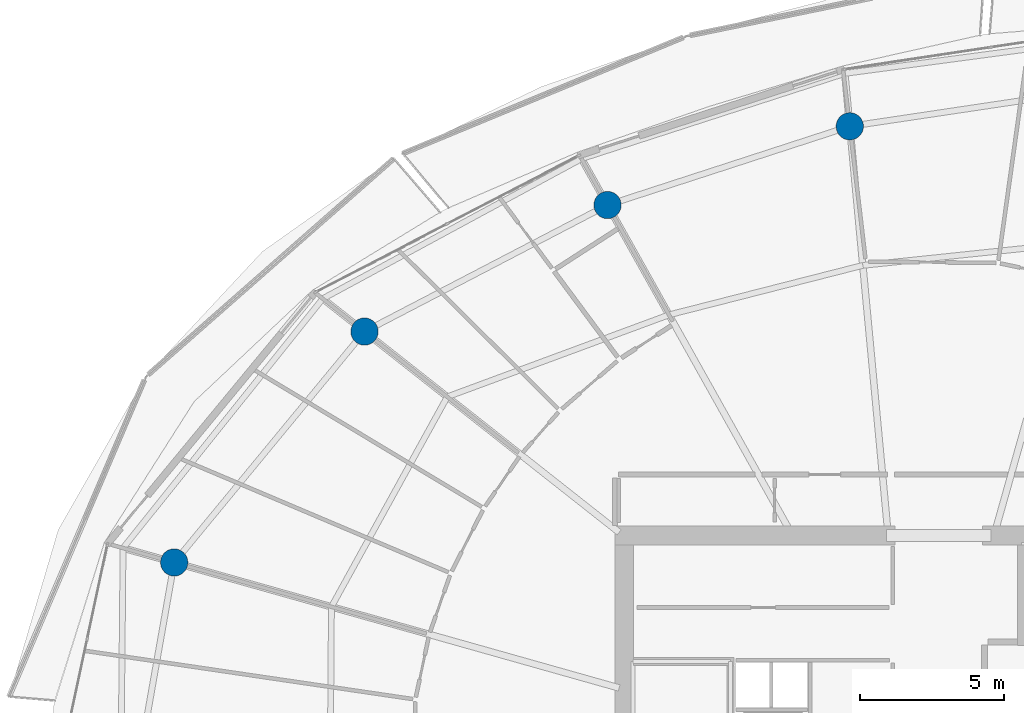
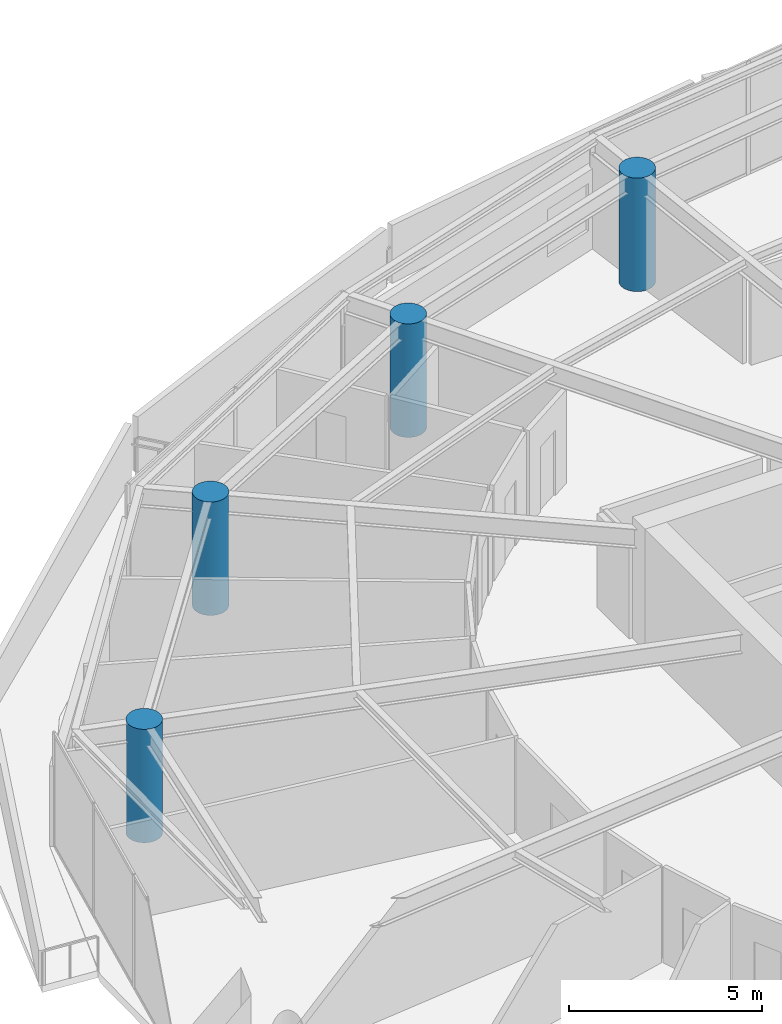
# One storey, part 4 of 30: 4 columns.
"""IFC4 building model written with IfcOpenShell, lengths in metres."""

import ifcopenshell
import ifcopenshell.guid

model = None  # the IFC model being written
_history = None  # IfcOwnerHistory: only IFC2X3 demands one
_inside = {}  # id of a spatial element -> (the spatial element, [elements in it])
_under = {}  # id of a project, library or spatial element -> (it, [spatial elements below it])
_declared = {}  # id of a project -> (the project, [libraries it declares])
_typed = {}  # id of a type object -> (the type object, [elements of that type])
_made_of = {}  # id of a material, layer set ... -> (it, [elements and type objects made of it])


def new_model(schema):
    """Start an empty IFC model of exactly this schema.

    Asked for "IFC4X3", IfcOpenShell would pick the latest addendum, in which some entities
    have other attributes; the version numbers below select the first issue.
    IFC2X3 requires an IfcOwnerHistory on every rooted entity: one is made here for all.
    """
    global model, _history
    if schema == "IFC4X3":
        model = ifcopenshell.file(schema_version=(4, 3, 0, 0))
    else:
        model = ifcopenshell.file(schema=schema)
    _inside.clear()
    _under.clear()
    _declared.clear()
    _typed.clear()
    _made_of.clear()
    _history = None
    if model.schema == "IFC2X3":
        org = make("IfcOrganization", Name="unknown")
        user = make(
            "IfcPersonAndOrganization",
            ThePerson=make("IfcPerson", FamilyName="unknown"),
            TheOrganization=org,
        )
        app = make(
            "IfcApplication",
            ApplicationDeveloper=org,
            Version="unknown",
            ApplicationFullName="unknown",
            ApplicationIdentifier="unknown",
        )
        _history = make(
            "IfcOwnerHistory",
            OwningUser=user,
            OwningApplication=app,
            ChangeAction="ADDED",
            CreationDate=0,
        )
    return model


def make(cls, **values):
    """One entity of the class cls with the attributes given. An attribute that is None is left unset."""
    return model.create_entity(
        cls, **{name: value for name, value in values.items() if value is not None}
    )


def rooted(cls, **values):
    """An entity with a GlobalId (a new one), such as an element, a storey or a relation."""
    return make(cls, GlobalId=ifcopenshell.guid.new(), OwnerHistory=_history, **values)


def si_unit(unit_type, name, prefix=None):
    """IfcSIUnit, for example si_unit("LENGTHUNIT", "METRE", prefix="MILLI")."""
    return make("IfcSIUnit", UnitType=unit_type, Prefix=prefix, Name=name)


def assignment(units):
    """IfcUnitAssignment: the units of a project."""
    return None if units is None else make("IfcUnitAssignment", Units=units)


def point(xyz):
    """IfcCartesianPoint."""
    return None if xyz is None else make("IfcCartesianPoint", Coordinates=xyz)


def direction(xyz):
    """IfcDirection."""
    return None if xyz is None else make("IfcDirection", DirectionRatios=xyz)


def frame(location, z_axis=None, x_axis=None):
    """IfcAxis2Placement3D, a coordinate frame: its origin and axes. An axis left out is left unset."""
    return make(
        "IfcAxis2Placement3D",
        Location=point(location),
        Axis=direction(z_axis),
        RefDirection=direction(x_axis),
    )


def frame_2d(location, x_axis=None):
    """IfcAxis2Placement2D, a coordinate frame in the plane: its origin and x axis."""
    return make(
        "IfcAxis2Placement2D", Location=point(location), RefDirection=direction(x_axis)
    )


def origin():
    """The frame at (0, 0, 0) with its axes left unset."""
    return frame((0.0, 0.0, 0.0))


def origin_2d():
    """The frame at (0, 0) in the plane with its x axis left unset."""
    return frame_2d((0.0, 0.0))


def place(relative_to, where):
    """IfcLocalPlacement: puts the frame where relative to a parent placement (None: the world)."""
    return make(
        "IfcLocalPlacement", PlacementRelTo=relative_to, RelativePlacement=where
    )


def context(
    kind, dimensions, precision=None, world=None, true_north=None, identifier=None
):
    """IfcGeometricRepresentationContext, for example the 3D "Model" context."""
    return make(
        "IfcGeometricRepresentationContext",
        ContextIdentifier=identifier,
        ContextType=kind,
        CoordinateSpaceDimension=dimensions,
        Precision=precision,
        WorldCoordinateSystem=world,
        TrueNorth=true_north,
    )


def subcontext(parent, identifier, kind, view, scale=None):
    """IfcGeometricRepresentationSubContext, for example "Body" below "Model"."""
    return make(
        "IfcGeometricRepresentationSubContext",
        ContextIdentifier=identifier,
        ContextType=kind,
        ParentContext=parent,
        TargetScale=scale,
        TargetView=view,
    )


def project(units=None, contexts=None):
    """IfcProject with its units and contexts."""
    return rooted(
        "IfcProject",
        Name="project",
        RepresentationContexts=contexts,
        UnitsInContext=assignment(units),
    )


def spatial(cls, under=None, at=None, **own):
    """A site, building, storey or space (cls), placed at a placement, below another one or the project."""
    s = rooted(cls, ObjectPlacement=at, **own)
    if under is not None:
        _under.setdefault(under.id(), (under, []))[1].append(s)
    return s


def profile(cls, at=None, kind="AREA", **sizes):
    """A parametric profile (cls). Its sizes go by their IFC names, for example OverallWidth=200.0."""
    return make(cls, ProfileType=kind, Position=at, **sizes)


def circle(**sizes):
    """IfcCircleProfileDef."""
    return profile("IfcCircleProfileDef", **sizes)


def extrude(swept, where, along, depth):
    """IfcExtrudedAreaSolid: the profile swept, set in the frame where, extruded along a direction by depth."""
    return make(
        "IfcExtrudedAreaSolid",
        SweptArea=swept,
        Position=where,
        ExtrudedDirection=direction(along),
        Depth=depth,
    )


def shape(context_of_items, identifier, shape_type, items):
    """IfcShapeRepresentation: the items that make up one representation, for example the "Body"."""
    return make(
        "IfcShapeRepresentation",
        ContextOfItems=context_of_items,
        RepresentationIdentifier=identifier,
        RepresentationType=shape_type,
        Items=items,
    )


def material(Name=None, Category=None):
    """IfcMaterial."""
    return make("IfcMaterial", Name=Name, Category=Category)


def material_profile(
    of_material, cross_section, Name=None, Category=None, Priority=None
):
    """IfcMaterialProfile: a cross section and its material."""
    return make(
        "IfcMaterialProfile",
        Name=Name,
        Material=of_material,
        Profile=cross_section,
        Priority=Priority,
        Category=Category,
    )


def profile_set(profiles, Name=None, composite=None):
    """IfcMaterialProfileSet."""
    return make(
        "IfcMaterialProfileSet",
        Name=Name,
        MaterialProfiles=profiles,
        CompositeProfile=composite,
    )


def made_of(thing, what):
    """Note that an element or type object is made of a material, layer set ...; save() writes the relation."""
    if what is not None:
        _made_of.setdefault(what.id(), (what, []))[1].append(thing)
    return thing


def type_object(cls, material=None, **own):
    """A type object (cls), such as IfcWallType, which elements share."""
    return made_of(rooted(cls, **own), material)


def element(
    cls,
    number,
    at=None,
    inside=None,
    cuts=None,
    type_object=None,
    material=None,
    context=None,
    identifier="Body",
    shape_type=None,
    held_by="IfcProductDefinitionShape",
    body=None,
    shapes=None,
    **own,
):
    """One element of the class cls, such as IfcWall. Its Tag is "e" and its number.

    at: its placement. inside: the storey or other place that contains it. cuts: it is an
    opening in that element (IfcRelVoidsElement). A single representation is given by context,
    identifier, shape_type and body (its items); several are given by shapes. held_by: the class
    of the entity that holds the representations. save() writes the other relations.
    """
    e = rooted(cls, Tag="e%d" % number, ObjectPlacement=at, **own)
    if body is not None:
        shapes = [shape(context, identifier, shape_type, body)]
    if shapes is not None:
        e.Representation = make(held_by, Representations=shapes)
    if inside is not None:
        _inside.setdefault(inside.id(), (inside, []))[1].append(e)
    if cuts is not None:
        rooted(
            "IfcRelVoidsElement", RelatingBuildingElement=cuts, RelatedOpeningElement=e
        )
    if type_object is not None:
        _typed.setdefault(type_object.id(), (type_object, []))[1].append(e)
    return made_of(e, material)


def aggregate(whole, parts):
    """IfcRelAggregates: a whole, such as a stair, and the parts it consists of."""
    return rooted("IfcRelAggregates", RelatingObject=whole, RelatedObjects=parts)


def save(model, path):
    """Write the relations noted so far, then the file.

    IfcRelAggregates (storeys below a building ...), IfcRelContainedInSpatialStructure (elements
    in a storey), IfcRelDefinesByType, IfcRelAssociatesMaterial and IfcRelDeclares: one each for
    every whole, place, type object, material and project.
    """
    for whole, parts in _under.values():
        aggregate(whole, parts)
    for where, things in _inside.values():
        rooted(
            "IfcRelContainedInSpatialStructure",
            RelatedElements=things,
            RelatingStructure=where,
        )
    for kind, things in _typed.values():
        rooted("IfcRelDefinesByType", RelatedObjects=things, RelatingType=kind)
    for what, things in _made_of.values():
        rooted("IfcRelAssociatesMaterial", RelatedObjects=things, RelatingMaterial=what)
    for by, libraries in _declared.values():
        rooted("IfcRelDeclares", RelatingContext=by, RelatedDefinitions=libraries)
    model.write(path)


model = new_model("IFC4")

# Units and contexts
model_context = context("Model", 3, precision=1e-05, world=origin(), true_north=direction((0.0, 1.0)))
body_context = subcontext(model_context, "Body", "Model", "MODEL_VIEW")
ifc_project = project(units=[si_unit("LENGTHUNIT", "METRE"), si_unit("AREAUNIT", "SQUARE_METRE"), si_unit("VOLUMEUNIT", "CUBIC_METRE"), si_unit("PLANEANGLEUNIT", "RADIAN"), si_unit("MASSUNIT", "GRAM", prefix="KILO")], contexts=[model_context])

# Site, building, storey
site_placement = place(None, origin())
site = spatial("IfcSite", under=ifc_project, at=site_placement, CompositionType="ELEMENT")
building_placement = place(site_placement, origin())
building = spatial("IfcBuilding", under=site, at=building_placement, Name="Kazma Halo Residences", CompositionType="ELEMENT")
storey_placement = place(building_placement, frame((0.0, 0.0, 244.39990234375)))
storey = spatial("IfcBuildingStorey", under=building, at=storey_placement, Name="L61", CompositionType="ELEMENT", Elevation=244.39990234375)

# Columns
ifc_material = material(Name="Concrete C60/75", Category="concrete")
ifc_material_profile = material_profile(ifc_material, circle(Radius=0.47509765625, at=origin_2d()), Name="CIRC950")
ifc_profile_set = profile_set([ifc_material_profile], Name="Concrete C60/75")
column_type = type_object("IfcColumnType", Name="COL-PERIM-950", PredefinedType="COLUMN", material=ifc_profile_set)
for number, where, z_axis, x_axis, name in (
    (1, (45.32861328125, 64.57080078125, 0.0), (0.0, 0.0, 1.0), (1.0, 0.0, 0.0), "L61 perimeter ring column P04"),
    (2, (36.89453125, 61.830322265625, 0.0), (0.0, 0.0, 1.0), (1.0, 0.0, 0.0), "L61 perimeter ring column P05"),
    (3, (28.433837890625, 57.4248046875, 0.0), (0.0, 0.0, 1.0), (1.0, 0.0, 0.0), "L61 perimeter ring column P06"),
    (4, (21.80908203125, 49.38671875, 0.0), (0.0, 0.0, 1.0), (1.0, 0.0, 0.0), "L61 perimeter ring column P07"),
):
    element("IfcColumn", number, at=place(storey_placement, frame(where, z_axis=z_axis, x_axis=x_axis)), inside=storey, type_object=column_type, Name=name, PredefinedType="COLUMN", context=body_context, shape_type="SweptSolid", body=[
        extrude(circle(Radius=0.47509765625, at=origin_2d()), origin(), (0.0, 0.0, 1.0), 3.590087890625),
    ])

save(model, "model.ifc")
